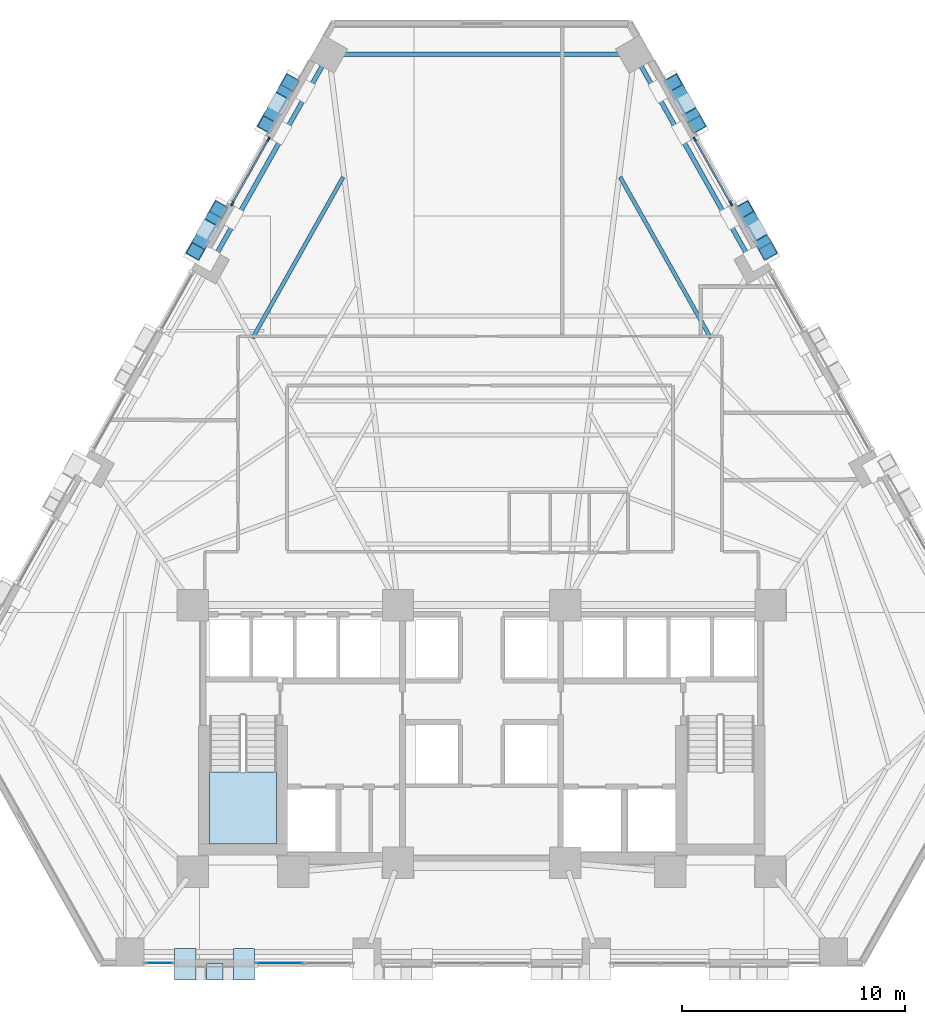
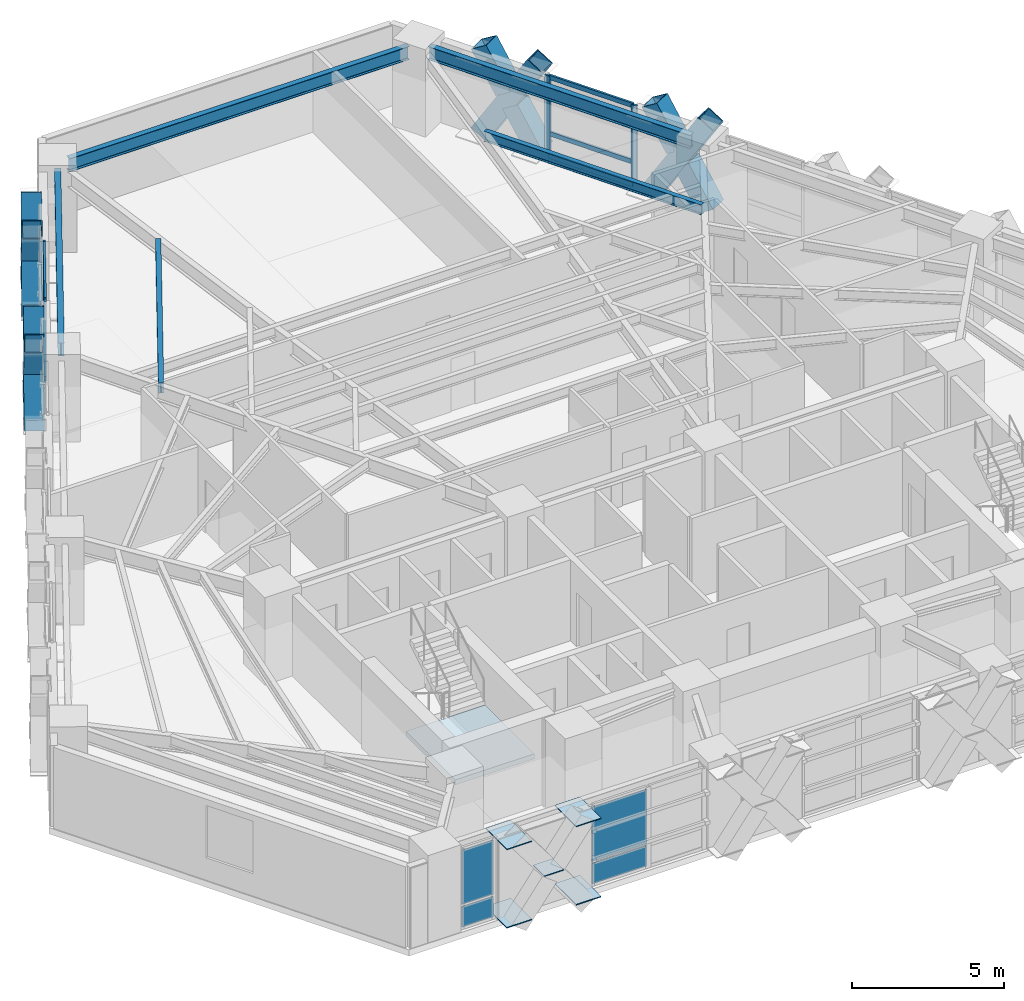
# One storey, part 5 of 13: 22 members, 9 plates, 5 beams, 1 slab, 5 elements without a shape of their own.
"""IFC4 building model written with IfcOpenShell, lengths in metres."""

from ifc_helpers import new_model, si_unit, direction, frame, origin, origin_2d, place, context, subcontext, project, spatial, polyline, rectangle, hollow_rectangle, i_section, outline, extrude, material, layer, layer_set, material_profile, profile_set, type_object, element, aggregate, save


model = new_model("IFC4")

# Units and contexts
model_context = context("Model", 3, precision=1e-05, world=origin(), true_north=direction((0.0, 1.0)))
body_context = subcontext(model_context, "Body", "Model", "MODEL_VIEW")
ifc_project = project(units=[si_unit("LENGTHUNIT", "METRE"), si_unit("AREAUNIT", "SQUARE_METRE"), si_unit("VOLUMEUNIT", "CUBIC_METRE"), si_unit("PLANEANGLEUNIT", "RADIAN"), si_unit("MASSUNIT", "GRAM", prefix="KILO")], contexts=[model_context])

# Site, building, storey
site_placement = place(None, origin())
site = spatial("IfcSite", under=ifc_project, at=site_placement, CompositionType="ELEMENT")
building_placement = place(site_placement, origin())
building = spatial("IfcBuilding", under=site, at=building_placement, Name="Quenlor Broadcast Tower", CompositionType="ELEMENT")
storey_placement = place(building_placement, frame((0.0, 0.0, 41.60009765625)))
storey = spatial("IfcBuildingStorey", under=building, at=storey_placement, Name="L10", CompositionType="ELEMENT", Elevation=41.60009765625)

# Curtain wall, members
ifc_material_1 = material(Name="Architectural Terracotta and Low-E Glazing", Category="masonry")
curtain_wall_type = type_object("IfcCurtainWallType", Name="Unitised Terracotta Curtain Wall System Z1", PredefinedType="NOTDEFINED", material=ifc_material_1)
curtain_wall_1_placement = place(storey_placement, origin())
curtain_wall_1 = element("IfcCurtainWall", 1, at=curtain_wall_1_placement, inside=storey, type_object=curtain_wall_type, Name="L10 Curtain Wall CW1 (L10-NEA-G1)", PredefinedType="NOTDEFINED")
ifc_material_2 = material(Name="Aluminium 6063-T6", Category="aluminium")
ifc_material_profile_1 = material_profile(ifc_material_2, rectangle(XDim=0.080078125, YDim=0.219970703125, at=origin_2d()))
ifc_profile_set_1 = profile_set([ifc_material_profile_1], Name="Aluminium 6063-T6 MULL80x220")
member_type_1 = type_object("IfcMemberType", Name="CW1 Aluminium Mullion MULL_CW1", PredefinedType="MULLION", material=ifc_profile_set_1)
member_1_placement = place(storey_placement, frame((9.55615234375, 16.084716796875, 0.0), z_axis=(0.0, 0.0, 1.0), x_axis=(0.871585015751, 0.49024438836, 0.0)))
member_1 = element("IfcMember", 2, at=member_1_placement, type_object=member_type_1, Name="CW1 mullion 1", PredefinedType="MULLION", context=body_context, shape_type="SweptSolid", body=[
    extrude(rectangle(XDim=0.080078125, YDim=0.219970703125, at=origin_2d()), origin(), (0.0, 0.0, 1.0), 3.25),
])
member_2_placement = place(storey_placement, frame((11.174560546875, 13.207763671875, 0.0), z_axis=(0.0, 0.0, 1.0), x_axis=(0.871585015751, 0.49024438836, 0.0)))
member_2 = element("IfcMember", 3, at=member_2_placement, type_object=member_type_1, Name="CW1 mullion 2", PredefinedType="MULLION", context=body_context, shape_type="SweptSolid", body=[
    extrude(rectangle(XDim=0.080078125, YDim=0.219970703125, at=origin_2d()), origin(), (0.0, 0.0, 1.0), 3.25),
])

curtain_wall_2_placement = place(storey_placement, origin())
curtain_wall_2 = element("IfcCurtainWall", 4, at=curtain_wall_2_placement, inside=storey, type_object=curtain_wall_type, Name="L10 Curtain Wall CW1 (L10-NWC-G1)", PredefinedType="NOTDEFINED")
member_3_placement = place(storey_placement, frame((-11.174560546875, 13.207763671875, 0.0), z_axis=(0.0, 0.0, 1.0), x_axis=(-0.871585015751, 0.49024438836, 0.0)))
member_3 = element("IfcMember", 5, at=member_3_placement, type_object=member_type_1, Name="CW1 mullion 1", PredefinedType="MULLION", context=body_context, shape_type="SweptSolid", body=[
    extrude(rectangle(XDim=0.080078125, YDim=0.219970703125, at=origin_2d()), origin(), (0.0, 0.0, 1.0), 3.25),
])
member_4_placement = place(storey_placement, frame((-9.55615234375, 16.084716796875, 0.0), z_axis=(0.0, 0.0, 1.0), x_axis=(-0.871585015751, 0.49024438836, 0.0)))
member_4 = element("IfcMember", 6, at=member_4_placement, type_object=member_type_1, Name="CW1 mullion 2", PredefinedType="MULLION", context=body_context, shape_type="SweptSolid", body=[
    extrude(rectangle(XDim=0.080078125, YDim=0.219970703125, at=origin_2d()), origin(), (0.0, 0.0, 1.0), 3.25),
])

# Member
ifc_material_3 = material(Name="Aluminium 6063-T6", Category="aluminium")
ifc_material_profile_2 = material_profile(ifc_material_3, rectangle(XDim=0.080078125, YDim=0.179931640625, at=origin_2d()))
ifc_profile_set_2 = profile_set([ifc_material_profile_2], Name="Aluminium 6063-T6 TRAN80x180")
member_type_2 = type_object("IfcMemberType", Name="CW1 Aluminium Transom TRAN_CW1", PredefinedType="USERDEFINED", material=ifc_profile_set_2)
member_5_placement = place(storey_placement, frame((9.575927734375, 16.050048828125, 0.039794921875), z_axis=(0.490192861476, -0.871613996307, 0.0), x_axis=(0.871613996307, 0.490192861476, 0.0)))
member_5 = element("IfcMember", 7, at=member_5_placement, type_object=member_type_2, Name="CW1 transom 1.1", ObjectType="TRANSOM", PredefinedType="USERDEFINED", context=body_context, shape_type="SweptSolid", body=[
    extrude(rectangle(XDim=0.080078125, YDim=0.179931640625, at=origin_2d()), origin(), (0.0, 0.0, 1.0), 3.220947265625),
])

member_6_placement = place(storey_placement, frame((9.575927734375, 16.050048828125, 0.949951171875), z_axis=(0.490192861476, -0.871613996307, 0.0), x_axis=(0.871613996307, 0.490192861476, 0.0)))
member_6 = element("IfcMember", 8, at=member_6_placement, type_object=member_type_2, Name="CW1 transom 1.2", ObjectType="TRANSOM", PredefinedType="USERDEFINED", context=body_context, shape_type="SweptSolid", body=[
    extrude(rectangle(XDim=0.080078125, YDim=0.179931640625, at=origin_2d()), origin(), (0.0, 0.0, 1.0), 3.220947265625),
])

member_7_placement = place(storey_placement, frame((9.575927734375, 16.050048828125, 3.2099609375), z_axis=(0.490192861476, -0.871613996307, 0.0), x_axis=(0.871613996307, 0.490192861476, 0.0)))
member_7 = element("IfcMember", 9, at=member_7_placement, type_object=member_type_2, Name="CW1 transom 1.3", ObjectType="TRANSOM", PredefinedType="USERDEFINED", context=body_context, shape_type="SweptSolid", body=[
    extrude(rectangle(XDim=0.080078125, YDim=0.179931640625, at=origin_2d()), origin(), (0.0, 0.0, 1.0), 3.220947265625),
])

aggregate(curtain_wall_1, [member_1, member_2, member_5, member_6, member_7])

member_8_placement = place(storey_placement, frame((-11.15478515625, 13.24267578125, 0.039794921875), z_axis=(0.490192861476, 0.871613996307, 0.0), x_axis=(-0.871613996307, 0.490192861476, 0.0)))
member_8 = element("IfcMember", 10, at=member_8_placement, type_object=member_type_2, Name="CW1 transom 1.1", ObjectType="TRANSOM", PredefinedType="USERDEFINED", context=body_context, shape_type="SweptSolid", body=[
    extrude(rectangle(XDim=0.080078125, YDim=0.179931640625, at=origin_2d()), origin(), (0.0, 0.0, 1.0), 3.220947265625),
])

member_9_placement = place(storey_placement, frame((-11.15478515625, 13.24267578125, 0.949951171875), z_axis=(0.490192861476, 0.871613996307, 0.0), x_axis=(-0.871613996307, 0.490192861476, 0.0)))
member_9 = element("IfcMember", 11, at=member_9_placement, type_object=member_type_2, Name="CW1 transom 1.2", ObjectType="TRANSOM", PredefinedType="USERDEFINED", context=body_context, shape_type="SweptSolid", body=[
    extrude(rectangle(XDim=0.080078125, YDim=0.179931640625, at=origin_2d()), origin(), (0.0, 0.0, 1.0), 3.220947265625),
])

member_10_placement = place(storey_placement, frame((-11.15478515625, 13.24267578125, 3.2099609375), z_axis=(0.490192861476, 0.871613996307, 0.0), x_axis=(-0.871613996307, 0.490192861476, 0.0)))
member_10 = element("IfcMember", 12, at=member_10_placement, type_object=member_type_2, Name="CW1 transom 1.3", ObjectType="TRANSOM", PredefinedType="USERDEFINED", context=body_context, shape_type="SweptSolid", body=[
    extrude(rectangle(XDim=0.080078125, YDim=0.179931640625, at=origin_2d()), origin(), (0.0, 0.0, 1.0), 3.220947265625),
])

aggregate(curtain_wall_2, [member_3, member_4, member_8, member_9, member_10])

# Members
ifc_material_4 = material(Name="Steel S355", Category="steel")
ifc_material_profile_3 = material_profile(ifc_material_4, hollow_rectangle(XDim=0.679931640625, YDim=0.679931640625, WallThickness=0.034912109375, at=origin_2d()))
ifc_profile_set_3 = profile_set([ifc_material_profile_3], Name="Steel S355 RHS680x680x35")
member_type_3 = type_object("IfcMemberType", Name="Perimeter Diagonal Lattice Brace Z1 Steel S355 RHS680x35", PredefinedType="BRACE", material=ifc_profile_set_3)
member_11_placement = place(storey_placement, frame((8.584716796875, 18.617431640625, -0.1201171875), z_axis=(0.25642393936, -0.455831751234, 0.852328679495), x_axis=(0.871560357306, 0.490288224998, 0.0)))
element("IfcMember", 13, at=member_11_placement, inside=storey, type_object=member_type_3, Name="L10 Perimeter Diamond Lattice NE-C1XA", PredefinedType="BRACE", context=body_context, shape_type="SweptSolid", body=[
    extrude(hollow_rectangle(XDim=0.679931640625, YDim=0.679931640625, WallThickness=0.034912109375, at=origin_2d()), origin(), (0.0, 0.0, 1.0), 4.1064453125),
])
for number, where, z_axis, x_axis, name in (
    (14, (9.6376953125, 16.74560546875, -0.1201171875), (-0.256435894674, 0.455870991217, 0.852304095549), (-0.871568623966, -0.49027352949, 0.0), "L10 Perimeter Diamond Lattice NE-C1XB1"),
    (15, (9.047119140625, 17.79541015625, 1.843017578125), (-0.256435894674, 0.455870991217, 0.852304095549), (-0.871568623966, -0.49027352949, 0.0), "L10 Perimeter Diamond Lattice NE-C1XB2"),
):
    element("IfcMember", number, at=place(storey_placement, frame(where, z_axis=z_axis, x_axis=x_axis)), inside=storey, type_object=member_type_3, Name=name, PredefinedType="BRACE", context=body_context, shape_type="SweptSolid", body=[
        extrude(hollow_rectangle(XDim=0.679931640625, YDim=0.679931640625, WallThickness=0.034912109375, at=origin_2d()), origin(), (0.0, 0.0, 1.0), 1.80322265625),
    ])
member_12_placement = place(storey_placement, frame((11.781494140625, 12.93408203125, -0.1201171875), z_axis=(0.256430888508, -0.455784649039, 0.8523517778), x_axis=(0.871533027316, 0.490336804959, 0.0)))
element("IfcMember", 16, at=member_12_placement, inside=storey, type_object=member_type_3, Name="L10 Perimeter Diamond Lattice NE-C2XA", PredefinedType="BRACE", context=body_context, shape_type="SweptSolid", body=[
    extrude(hollow_rectangle(XDim=0.679931640625, YDim=0.679931640625, WallThickness=0.034912109375, at=origin_2d()), origin(), (0.0, 0.0, 1.0), 4.106201171875),
])
member_13_placement = place(storey_placement, frame((12.83447265625, 11.0625, -0.1201171875), z_axis=(-0.256435894674, 0.455870991217, 0.852304095549), x_axis=(-0.871568623966, -0.49027352949, 0.0)))
element("IfcMember", 17, at=member_13_placement, inside=storey, type_object=member_type_3, Name="L10 Perimeter Diamond Lattice NE-C2XB1", PredefinedType="BRACE", context=body_context, shape_type="SweptSolid", body=[
    extrude(hollow_rectangle(XDim=0.679931640625, YDim=0.679931640625, WallThickness=0.034912109375, at=origin_2d()), origin(), (0.0, 0.0, 1.0), 1.80322265625),
])
member_14_placement = place(storey_placement, frame((12.243896484375, 12.1123046875, 1.843017578125), z_axis=(-0.256451721554, 0.455763724789, 0.852356698618), x_axis=(-0.871506382136, -0.490384161547, 0.0)))
element("IfcMember", 18, at=member_14_placement, inside=storey, type_object=member_type_3, Name="L10 Perimeter Diamond Lattice NE-C2XB2", PredefinedType="BRACE", context=body_context, shape_type="SweptSolid", body=[
    extrude(hollow_rectangle(XDim=0.679931640625, YDim=0.679931640625, WallThickness=0.034912109375, at=origin_2d()), origin(), (0.0, 0.0, 1.0), 1.802978515625),
])
member_15_placement = place(storey_placement, frame((-12.83447265625, 11.0625, -0.1201171875), z_axis=(0.256430888508, 0.455784649039, 0.8523517778), x_axis=(-0.871533027316, 0.490336804959, 0.0)))
element("IfcMember", 19, at=member_15_placement, inside=storey, type_object=member_type_3, Name="L10 Perimeter Diamond Lattice NW-C4XA", PredefinedType="BRACE", context=body_context, shape_type="SweptSolid", body=[
    extrude(hollow_rectangle(XDim=0.679931640625, YDim=0.679931640625, WallThickness=0.034912109375, at=origin_2d()), origin(), (0.0, 0.0, 1.0), 4.106201171875),
])
member_16_placement = place(storey_placement, frame((-11.781494140625, 12.93408203125, -0.1201171875), z_axis=(-0.256451721554, -0.455763724789, 0.852356698618), x_axis=(0.871506382136, -0.490384161547, 0.0)))
element("IfcMember", 20, at=member_16_placement, inside=storey, type_object=member_type_3, Name="L10 Perimeter Diamond Lattice NW-C4XB1", PredefinedType="BRACE", context=body_context, shape_type="SweptSolid", body=[
    extrude(hollow_rectangle(XDim=0.679931640625, YDim=0.679931640625, WallThickness=0.034912109375, at=origin_2d()), origin(), (0.0, 0.0, 1.0), 1.802978515625),
])
member_17_placement = place(storey_placement, frame((-12.3720703125, 11.884521484375, 1.843017578125), z_axis=(-0.256435894674, -0.455870991217, 0.852304095549), x_axis=(0.871568623966, -0.49027352949, 0.0)))
element("IfcMember", 21, at=member_17_placement, inside=storey, type_object=member_type_3, Name="L10 Perimeter Diamond Lattice NW-C4XB2", PredefinedType="BRACE", context=body_context, shape_type="SweptSolid", body=[
    extrude(hollow_rectangle(XDim=0.679931640625, YDim=0.679931640625, WallThickness=0.034912109375, at=origin_2d()), origin(), (0.0, 0.0, 1.0), 1.80322265625),
])
member_18_placement = place(storey_placement, frame((-9.6376953125, 16.74560546875, -0.1201171875), z_axis=(0.25642393936, 0.455831751234, 0.852328679495), x_axis=(-0.871560357306, 0.490288224998, 0.0)))
element("IfcMember", 22, at=member_18_placement, inside=storey, type_object=member_type_3, Name="L10 Perimeter Diamond Lattice NW-C5XA", PredefinedType="BRACE", context=body_context, shape_type="SweptSolid", body=[
    extrude(hollow_rectangle(XDim=0.679931640625, YDim=0.679931640625, WallThickness=0.034912109375, at=origin_2d()), origin(), (0.0, 0.0, 1.0), 4.1064453125),
])
for number, where, z_axis, x_axis, name in (
    (23, (-8.584716796875, 18.617431640625, -0.1201171875), (-0.256435894674, -0.455870991217, 0.852304095549), (0.871568623966, -0.49027352949, 0.0), "L10 Perimeter Diamond Lattice NW-C5XB1"),
    (24, (-9.17529296875, 17.567626953125, 1.843017578125), (-0.256435894674, -0.455870991217, 0.852304095549), (0.871568623966, -0.49027352949, 0.0), "L10 Perimeter Diamond Lattice NW-C5XB2"),
):
    element("IfcMember", number, at=place(storey_placement, frame(where, z_axis=z_axis, x_axis=x_axis)), inside=storey, type_object=member_type_3, Name=name, PredefinedType="BRACE", context=body_context, shape_type="SweptSolid", body=[
        extrude(hollow_rectangle(XDim=0.679931640625, YDim=0.679931640625, WallThickness=0.034912109375, at=origin_2d()), origin(), (0.0, 0.0, 1.0), 1.80322265625),
    ])

# Beams
ifc_material_5 = material(Name="Steel S355", Category="steel")
ifc_material_profile_4 = material_profile(ifc_material_5, i_section(OverallWidth=0.208984375, OverallDepth=0.532958984375, WebThickness=0.01025390625, FlangeThickness=0.015625, FilletRadius=0.013916015625, at=origin_2d()))
ifc_profile_set_4 = profile_set([ifc_material_profile_4], Name="Steel S355 530UB92.4")
beam_type_1 = type_object("IfcBeamType", Name="Perimeter Spandrel Beam Z1 Steel S355 530UB92.4", PredefinedType="SPANDREL", material=ifc_profile_set_4)
beam_1_placement = place(storey_placement, frame((11.962158203125, 10.80810546875, 2.9833984375), z_axis=(-0.490257767622, 0.871577490121, 0.0), x_axis=(-0.871577490121, -0.490257767622, 0.0)))
element("IfcBeam", 25, at=beam_1_placement, inside=storey, type_object=beam_type_1, Name="L10 Spandrel Beam NE3-NE4", PredefinedType="SPANDREL", context=body_context, shape_type="SweptSolid", body=[
    extrude(i_section(OverallWidth=0.208984375, OverallDepth=0.532958984375, WebThickness=0.01025390625, FlangeThickness=0.015625, FilletRadius=0.013916015625, at=origin_2d()), origin(), (0.0, 0.0, 1.0), 10.015380859375),
])
beam_2_placement = place(storey_placement, frame((6.44091796875, 19.894775390625, 2.9833984375), z_axis=(-1.0, 0.0, 0.0), x_axis=(0.0, -1.0, 0.0)))
element("IfcBeam", 26, at=beam_2_placement, inside=storey, type_object=beam_type_1, Name="L10 Spandrel Beam NE4-NW1", PredefinedType="SPANDREL", context=body_context, shape_type="SweptSolid", body=[
    extrude(i_section(OverallWidth=0.208984375, OverallDepth=0.532958984375, WebThickness=0.01025390625, FlangeThickness=0.015625, FilletRadius=0.013916015625, at=origin_2d()), origin(), (0.0, 0.0, 1.0), 12.8818359375),
])
beam_3_placement = place(storey_placement, frame((-7.052001953125, 19.537353515625, 2.9833984375), z_axis=(-0.490257767622, -0.871577490121, 0.0), x_axis=(0.871577490121, -0.490257767622, 0.0)))
element("IfcBeam", 27, at=beam_3_placement, inside=storey, type_object=beam_type_1, Name="L10 Spandrel Beam NW1-NW2", PredefinedType="SPANDREL", context=body_context, shape_type="SweptSolid", body=[
    extrude(i_section(OverallWidth=0.208984375, OverallDepth=0.532958984375, WebThickness=0.01025390625, FlangeThickness=0.015625, FilletRadius=0.013916015625, at=origin_2d()), origin(), (0.0, 0.0, 1.0), 10.015380859375),
])
ifc_material_6 = material(Name="Steel S355", Category="steel")
ifc_material_profile_5 = material_profile(ifc_material_6, i_section(OverallWidth=0.177978515625, OverallDepth=0.406494140625, WebThickness=0.0078125, FlangeThickness=0.0126953125, FilletRadius=0.011474609375, at=origin_2d()))
ifc_profile_set_5 = profile_set([ifc_material_profile_5], Name="Steel S355 410UB59.7")
beam_type_2 = type_object("IfcBeamType", Name="Tower Composite Joist Z1 Steel S355 410UB59.7", PredefinedType="JOIST", material=ifc_profile_set_5)
for number, where, z_axis, x_axis, name in (
    (28, (-6.2080078125, 14.39208984375, 3.046630859375), (-0.490248658014, -0.871582614166, 0.0), (0.871582614166, -0.490248658014, 0.0), "L10 Secondary Composite Joist 27"),
    (29, (6.2080078125, 14.39208984375, 3.046630859375), (0.490248658014, -0.871582614166, 0.0), (0.871582614166, 0.490248658014, 0.0), "L10 Secondary Composite Joist 30"),
):
    element("IfcBeam", number, at=place(storey_placement, frame(where, z_axis=z_axis, x_axis=x_axis)), inside=storey, type_object=beam_type_2, Name=name, PredefinedType="JOIST", context=body_context, shape_type="SweptSolid", body=[
        extrude(i_section(OverallWidth=0.177978515625, OverallDepth=0.406494140625, WebThickness=0.0078125, FlangeThickness=0.0126953125, FilletRadius=0.011474609375, at=origin_2d()), origin(), (0.0, 0.0, 1.0), 8.29150390625),
    ])

# Curtain wall, plates
curtain_wall_3_placement = place(storey_placement, origin())
curtain_wall_3 = element("IfcCurtainWall", 30, at=curtain_wall_3_placement, inside=storey, type_object=curtain_wall_type, Name="L10 Curtain Wall CW1 (L10-SC-G1)", PredefinedType="NOTDEFINED")
ifc_material_7 = material(Name="Double Glazed Low-E Solar Glass", Category="glass")
ifc_layer_1 = layer(ifc_material_7, 0.031982421875)
ifc_layer_set_1 = layer_set([ifc_layer_1], Name="CW1 Double Glazed Vision Panel 32")
plate_type_1 = type_object("IfcPlateType", Name="CW1 Double Glazed Vision Panel 32", PredefinedType="CURTAIN_PANEL", material=ifc_layer_set_1)
plate_1_placement = place(storey_placement, frame((-9.058837890625, -20.840087890625, 0.079833984375), z_axis=(0.0, 0.0, 1.0), x_axis=(-1.0, 0.0, 0.0)))
plate_1 = element("IfcPlate", 31, at=plate_1_placement, type_object=plate_type_1, Name="CW1 panel 2.1", PredefinedType="CURTAIN_PANEL", context=body_context, shape_type="SweptSolid", body=[
    extrude(rectangle(XDim=2.072021484375, YDim=0.031982421875, at=origin_2d()), origin(), (0.0, 0.0, 1.0), 0.830078125),
])
plate_2_placement = place(storey_placement, frame((-9.058837890625, -20.840087890625, 0.98974609375), z_axis=(0.0, 0.0, 1.0), x_axis=(-1.0, 0.0, 0.0)))
plate_2 = element("IfcPlate", 32, at=plate_2_placement, type_object=plate_type_1, Name="CW1 panel 2.2", PredefinedType="CURTAIN_PANEL", context=body_context, shape_type="SweptSolid", body=[
    extrude(rectangle(XDim=2.072021484375, YDim=0.031982421875, at=origin_2d()), origin(), (0.0, 0.0, 1.0), 2.179931640625),
])
aggregate(curtain_wall_3, [plate_1, plate_2])

curtain_wall_4_placement = place(storey_placement, origin())
curtain_wall_4 = element("IfcCurtainWall", 33, at=curtain_wall_4_placement, inside=storey, type_object=curtain_wall_type, Name="L10 Curtain Wall CW1 (L10-SC-G2)", PredefinedType="NOTDEFINED")
plate_3_placement = place(storey_placement, frame((-14.44091796875, -20.840087890625, 0.079833984375), z_axis=(0.0, 0.0, 1.0), x_axis=(-1.0, 0.0, 0.0)))
plate_3 = element("IfcPlate", 34, at=plate_3_placement, type_object=plate_type_1, Name="CW1 panel 1.1", PredefinedType="CURTAIN_PANEL", context=body_context, shape_type="SweptSolid", body=[
    extrude(rectangle(XDim=1.188232421875, YDim=0.031982421875, at=origin_2d()), origin(), (0.0, 0.0, 1.0), 0.830078125),
])
plate_4_placement = place(storey_placement, frame((-14.44091796875, -20.840087890625, 0.98974609375), z_axis=(0.0, 0.0, 1.0), x_axis=(-1.0, 0.0, 0.0)))
plate_4 = element("IfcPlate", 35, at=plate_4_placement, type_object=plate_type_1, Name="CW1 panel 1.2", PredefinedType="CURTAIN_PANEL", context=body_context, shape_type="SweptSolid", body=[
    extrude(rectangle(XDim=1.188232421875, YDim=0.031982421875, at=origin_2d()), origin(), (0.0, 0.0, 1.0), 2.179931640625),
])
aggregate(curtain_wall_4, [plate_3, plate_4])

# Plate
ifc_material_8 = material(Name="Steel S355", Category="steel")
ifc_layer_2 = layer(ifc_material_8, 0.028076171875)
ifc_layer_set_2 = layer_set([ifc_layer_2], Name="Perimeter Lattice Node Steel S355 Cap Plate 740x740x28")
plate_type_2 = type_object("IfcPlateType", Name="Perimeter Lattice Node Steel S355 Cap Plate 740x740x28", PredefinedType="USERDEFINED", material=ifc_layer_set_2)
plate_5_placement = place(storey_placement, frame((-11.970703125, -21.235107421875, 1.61572265625), z_axis=(0.0, 0.0, 1.0), x_axis=(-1.0, 0.0, 0.0)))
element("IfcPlate", 36, at=plate_5_placement, inside=storey, type_object=plate_type_2, Name="L10 Diamond Lattice Crossing Node S-C4", ObjectType="CAP PLATE", PredefinedType="USERDEFINED", context=body_context, shape_type="SweptSolid", body=[
    extrude(rectangle(XDim=0.739990234375, YDim=0.739990234375, at=origin_2d()), origin(), (0.0, 0.0, 1.0), 0.028076171875),
])

# Stair, slab
ifc_material_9 = material(Name="Precast concrete C40/50", Category="concrete")
stair_type = type_object("IfcStairType", Name="Precast Concrete C40/50 Dogleg Stair H350", PredefinedType="HALF_TURN_STAIR", material=ifc_material_9)
stair_placement = place(storey_placement, origin())
stair = element("IfcStair", 37, at=stair_placement, inside=storey, type_object=stair_type, Name="L10 West Core Fire-Isolated Exit Stair ST-1", PredefinedType="HALF_TURN_STAIR")
ifc_material_10 = material(Name="Precast concrete C40/50", Category="concrete")
ifc_layer_3 = layer(ifc_material_10, 0.199951171875)
ifc_layer_set_3 = layer_set([ifc_layer_3], Name="Precast Concrete C40/50 Stair Landing Slab 200")
slab_type = type_object("IfcSlabType", Name="Precast Concrete C40/50 Stair Landing Slab 200", PredefinedType="LANDING", material=ifc_layer_set_3)
slab_placement = place(storey_placement, frame((0.0, 0.0, 1.5498046875)))
slab = element("IfcSlab", 38, at=slab_placement, type_object=slab_type, Name="ST-1 landing 1", PredefinedType="LANDING", context=body_context, shape_type="SweptSolid", body=[
    extrude(outline(polyline([(-12.199951171875, -12.27001953125), (-12.199951171875, -15.5), (-9.199951171875, -15.5), (-9.199951171875, -12.27001953125), (-12.199951171875, -12.27001953125)])), origin(), (0.0, 0.0, 1.0), 0.2001953125),
])
aggregate(stair, [slab])

# Plates
ifc_material_11 = material(Name="Steel S355", Category="steel")
ifc_layer_4 = layer(ifc_material_11, 0.035888671875)
ifc_layer_set_4 = layer_set([ifc_layer_4], Name="Transfer Truss Steel S355 Gusset Node Plate 1400x950x36")
plate_type_3 = type_object("IfcPlateType", Name="Transfer Truss Steel S355 Gusset Node Plate 1400x950x36", PredefinedType="SHEET", material=ifc_layer_set_4)
for number, where, z_axis, x_axis, name in (
    (39, (-10.656494140625, -20.89990234375, 0.0419921875), (0.0, 0.0, 1.0), (0.0, -1.0, 0.0), "L10 Lattice Tie Gusset Node S-B10"),
    (40, (-13.284912109375, -20.89990234375, 3.18212890625), (0.0, 0.0, 1.0), (0.0, -1.0, 0.0), "L10 Lattice Tie Gusset Node S-T11"),
    (41, (-13.284912109375, -20.89990234375, 0.0419921875), (0.0, 0.0, 1.0), (0.0, -1.0, 0.0), "L10 Lattice Tie Gusset Node S-B11"),
    (42, (-10.656494140625, -20.89990234375, 3.18212890625), (0.0, 0.0, 1.0), (0.0, -1.0, 0.0), "L10 Lattice Tie Gusset Node S-T10"),
):
    element("IfcPlate", number, at=place(storey_placement, frame(where, z_axis=z_axis, x_axis=x_axis)), inside=storey, type_object=plate_type_3, Name=name, PredefinedType="SHEET", context=body_context, shape_type="SweptSolid", body=[
        extrude(rectangle(XDim=1.39990234375, YDim=0.949951171875, at=origin_2d()), origin(), (0.0, 0.0, 1.0), 0.035888671875),
    ])

save(model, "model.ifc")
